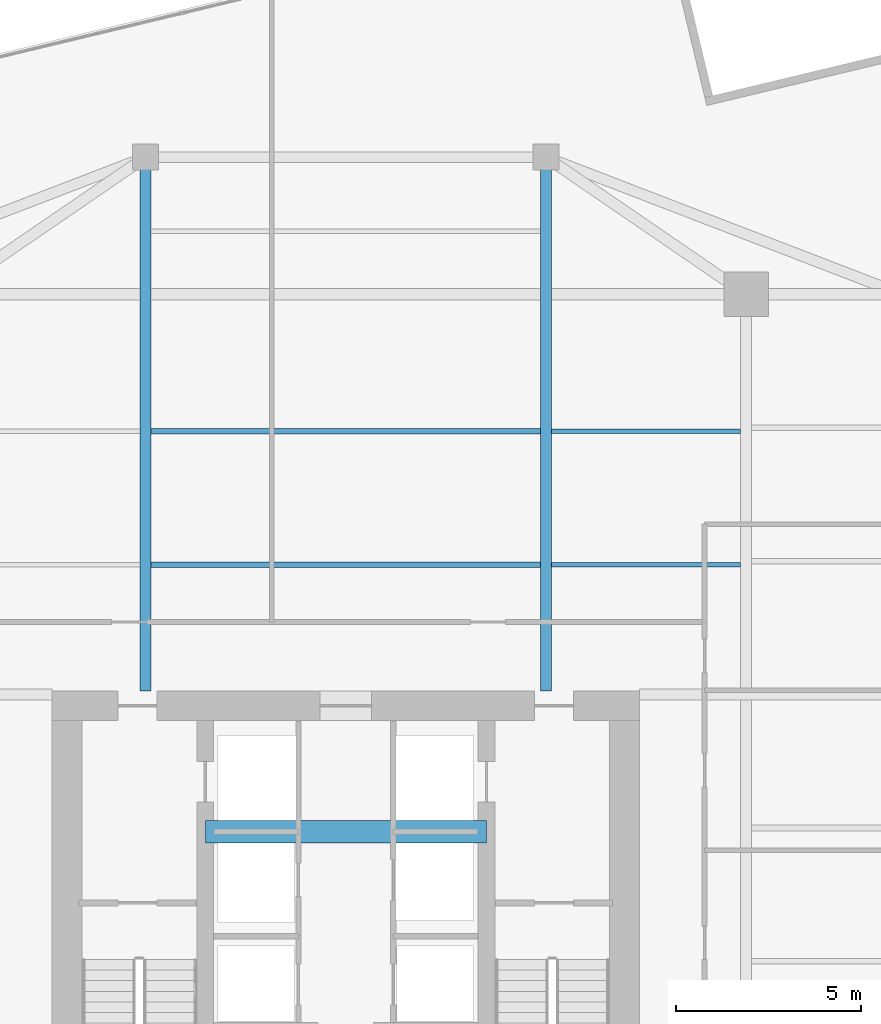
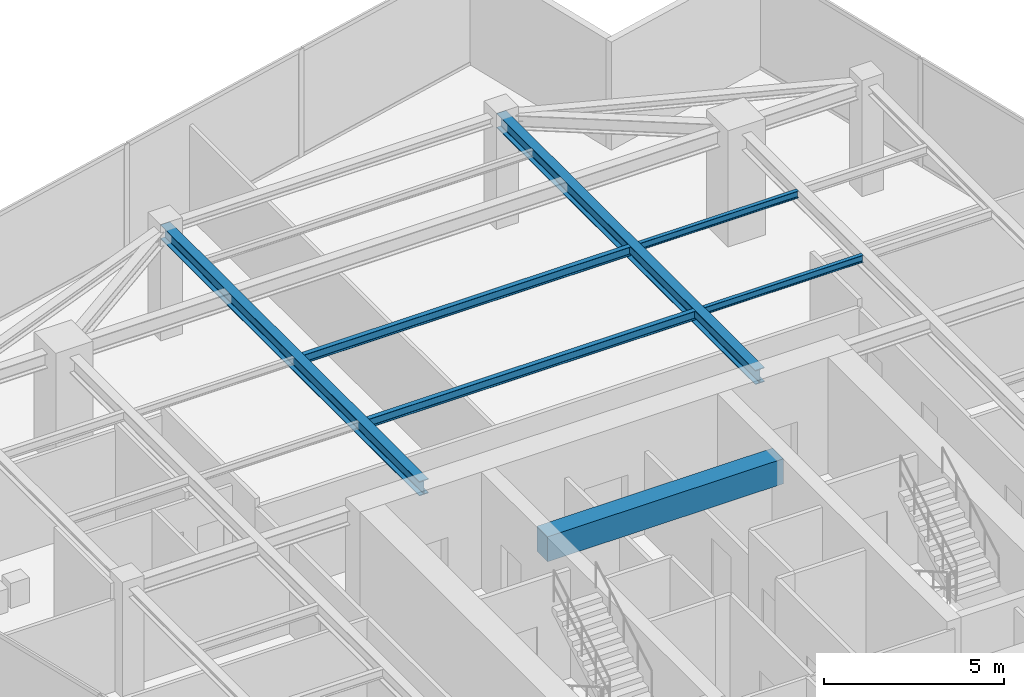
# One storey, part 8 of 22: 7 beams.
"""IFC4 building model written with IfcOpenShell, lengths in metres."""

from ifc_helpers import new_model, si_unit, direction, frame, origin, origin_2d, place, context, subcontext, project, spatial, rectangle, i_section, extrude, source, transform, mapped, material, material_profile, profile_set, type_object, type_shapes, element, save


model = new_model("IFC4")

# Units and contexts
model_context = context("Model", 3, precision=1e-05, world=origin(), true_north=direction((0.0, 1.0)))
body_context = subcontext(model_context, "Body", "Model", "MODEL_VIEW")
ifc_project = project(units=[si_unit("LENGTHUNIT", "METRE"), si_unit("AREAUNIT", "SQUARE_METRE"), si_unit("VOLUMEUNIT", "CUBIC_METRE"), si_unit("PLANEANGLEUNIT", "RADIAN"), si_unit("MASSUNIT", "GRAM", prefix="KILO")], contexts=[model_context])

# Site, building, storey
site_placement = place(None, origin())
site = spatial("IfcSite", under=ifc_project, at=site_placement, CompositionType="ELEMENT")
building_placement = place(site_placement, origin())
building = spatial("IfcBuilding", under=site, at=building_placement, Name="Krantzveldt Concourse Tower", CompositionType="ELEMENT")
storey_placement = place(building_placement, frame((0.0, 0.0, 355.35009765625)))
storey = spatial("IfcBuildingStorey", under=building, at=storey_placement, Name="L87", CompositionType="ELEMENT", Elevation=355.35009765625)

# Beams
ifc_material_1 = material(Name="Steel S355JR", Category="steel")
ifc_material_profile_1 = material_profile(ifc_material_1, i_section(OverallWidth=0.300048828125, OverallDepth=0.489990234375, WebThickness=0.011962890625, FlangeThickness=0.02294921875, FilletRadius=0.027099609375, at=origin_2d()), Name="Steel S355JR", Category="steel")
ifc_profile_set_1 = profile_set([ifc_material_profile_1], Name="Steel S355JR - HEA 500")
beam_type_1 = type_object("IfcBeamType", Name="BM-B-HEA500", PredefinedType="BEAM", material=ifc_profile_set_1)
shared_shape_1 = source(origin(), body_context, "Body", "SweptSolid", [
    extrude(i_section(OverallWidth=0.300048828125, OverallDepth=0.489990234375, WebThickness=0.011962890625, FlangeThickness=0.02294921875, FilletRadius=0.027099609375, at=origin_2d()), origin(), (0.0, 0.0, 1.0), 14.39990234375),
])
type_shapes(beam_type_1, [shared_shape_1])
for number, where, z_axis, x_axis, name in (
    (1, (30.60009765625, 26.800048828125, 3.4248046875), (0.0, 1.0, 0.0), (-1.0, 0.0, 0.0), "L87 Tower Girder BG-CNW"),
    (2, (41.39990234375, 26.800048828125, 3.4248046875), (0.0, 1.0, 0.0), (-1.0, 0.0, 0.0), "L87 Tower Girder BG-CNE"),
):
    element("IfcBeam", number, at=place(storey_placement, frame(where, z_axis=z_axis, x_axis=x_axis)), inside=storey, type_object=beam_type_1, Name=name, PredefinedType="BEAM", context=body_context, shape_type="MappedRepresentation", body=[
        mapped(shared_shape_1, transform((0.0, 0.0, 0.0), x_axis=(1.0, 0.0, 0.0), y_axis=(0.0, 1.0, 0.0), z_axis=(0.0, 0.0, 1.0), scale=1.0)),
    ])
ifc_material_profile_2 = material_profile(ifc_material_1, i_section(OverallWidth=0.14990234375, OverallDepth=0.300048828125, WebThickness=0.007080078125, FlangeThickness=0.0107421875, FilletRadius=0.014892578125, at=origin_2d()), Name="Steel S355JR", Category="steel")
ifc_profile_set_2 = profile_set([ifc_material_profile_2], Name="Steel S355JR - IPE 300")
beam_type_2 = type_object("IfcBeamType", Name="BM-J-IPE300", PredefinedType="JOIST", material=ifc_profile_set_2)
shared_shape_2 = source(origin(), body_context, "Body", "SweptSolid", [
    extrude(i_section(OverallWidth=0.14990234375, OverallDepth=0.300048828125, WebThickness=0.007080078125, FlangeThickness=0.0107421875, FilletRadius=0.014892578125, at=origin_2d()), origin(), (0.0, 0.0, 1.0), 10.5),
])
type_shapes(beam_type_2, [shared_shape_2])
for number, where, z_axis, x_axis, name in (
    (3, (30.75, 30.199951171875, 3.52001953125), (1.0, 0.0, 0.0), (0.0, 1.0, 0.0), "L87 Secondary Floor Joist JN-C1"),
    (4, (30.75, 33.800048828125, 3.52001953125), (1.0, 0.0, 0.0), (0.0, 1.0, 0.0), "L87 Secondary Floor Joist JN-C2"),
):
    element("IfcBeam", number, at=place(storey_placement, frame(where, z_axis=z_axis, x_axis=x_axis)), inside=storey, type_object=beam_type_2, Name=name, PredefinedType="JOIST", context=body_context, shape_type="MappedRepresentation", body=[
        mapped(shared_shape_2, transform((0.0, 0.0, 0.0), x_axis=(1.0, 0.0, 0.0), y_axis=(0.0, 1.0, 0.0), z_axis=(0.0, 0.0, 1.0), scale=1.0)),
    ])
ifc_material_2 = material(Name="Concrete C50/60", Category="concrete")
ifc_material_profile_3 = material_profile(ifc_material_2, rectangle(XDim=0.60009765625, YDim=0.85009765625, at=origin_2d()), Name="Concrete C50/60", Category="concrete")
ifc_profile_set_3 = profile_set([ifc_material_profile_3], Name="Concrete C50/60 - RC-CB 600x850")
beam_type_3 = type_object("IfcBeamType", Name="BM-CB-850", PredefinedType="LINTEL", material=ifc_profile_set_3)
shared_shape_3 = source(origin(), body_context, "Body", "SweptSolid", [
    extrude(rectangle(XDim=0.60009765625, YDim=0.85009765625, at=origin_2d()), origin(), (0.0, 0.0, 1.0), 7.580078125),
])
type_shapes(beam_type_3, [shared_shape_3])
beam_placement = place(storey_placement, frame((32.2099609375, 23.0, 3.244873046875), z_axis=(1.0, 0.0, 0.0), x_axis=(0.0, 1.0, 0.0)))
element("IfcBeam", 5, at=beam_placement, inside=storey, type_object=beam_type_3, Name="CB-L87-01", PredefinedType="LINTEL", context=body_context, shape_type="MappedRepresentation", body=[
    mapped(shared_shape_3, transform((0.0, 0.0, 0.0), x_axis=(1.0, 0.0, 0.0), y_axis=(0.0, 1.0, 0.0), z_axis=(0.0, 0.0, 1.0), scale=1.0)),
])
ifc_material_profile_4 = material_profile(ifc_material_1, i_section(OverallWidth=0.1201171875, OverallDepth=0.239990234375, WebThickness=0.006103515625, FlangeThickness=0.009765625, FilletRadius=0.014892578125, at=origin_2d()), Name="Steel S355JR", Category="steel")
ifc_profile_set_4 = profile_set([ifc_material_profile_4], Name="Steel S355JR - IPE 240")
beam_type_4 = type_object("IfcBeamType", Name="BM-LN-IPE240", PredefinedType="LINTEL", material=ifc_profile_set_4)
shared_shape_4 = source(origin(), body_context, "Body", "SweptSolid", [
    extrude(i_section(OverallWidth=0.1201171875, OverallDepth=0.239990234375, WebThickness=0.006103515625, FlangeThickness=0.009765625, FilletRadius=0.014892578125, at=origin_2d()), origin(), (0.0, 0.0, 1.0), 5.099853515625),
])
type_shapes(beam_type_4, [shared_shape_4])
for number, where, z_axis, x_axis, name in (
    (6, (41.550048828125, 30.199951171875, 3.5498046875), (1.0, 0.0, 0.0), (0.0, 1.0, 0.0), "L87 Secondary Floor Joist JN-E1"),
    (7, (41.550048828125, 33.800048828125, 3.5498046875), (1.0, 0.0, 0.0), (0.0, 1.0, 0.0), "L87 Secondary Floor Joist JN-E2"),
):
    element("IfcBeam", number, at=place(storey_placement, frame(where, z_axis=z_axis, x_axis=x_axis)), inside=storey, type_object=beam_type_4, Name=name, PredefinedType="LINTEL", context=body_context, shape_type="MappedRepresentation", body=[
        mapped(shared_shape_4, transform((0.0, 0.0, 0.0), x_axis=(1.0, 0.0, 0.0), y_axis=(0.0, 1.0, 0.0), z_axis=(0.0, 0.0, 1.0), scale=1.0)),
    ])

save(model, "model.ifc")
